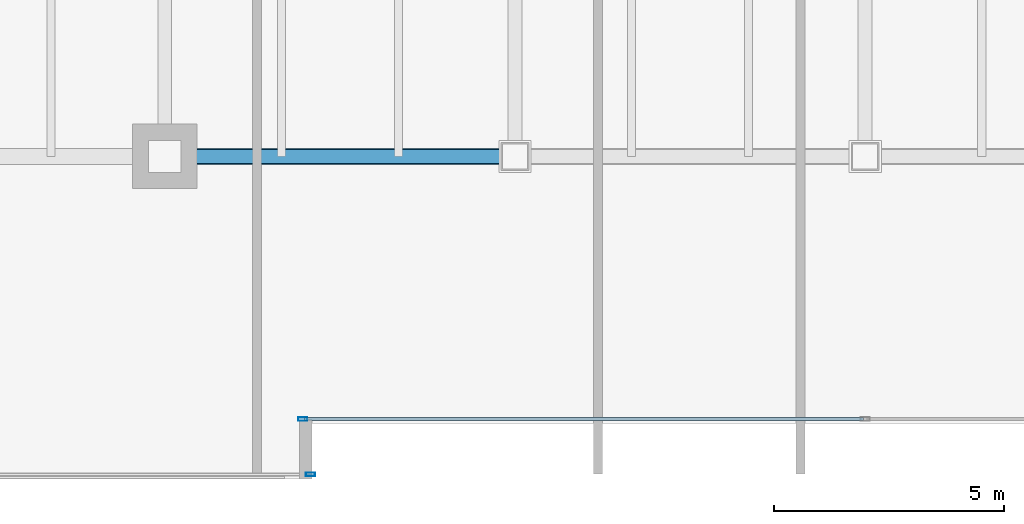
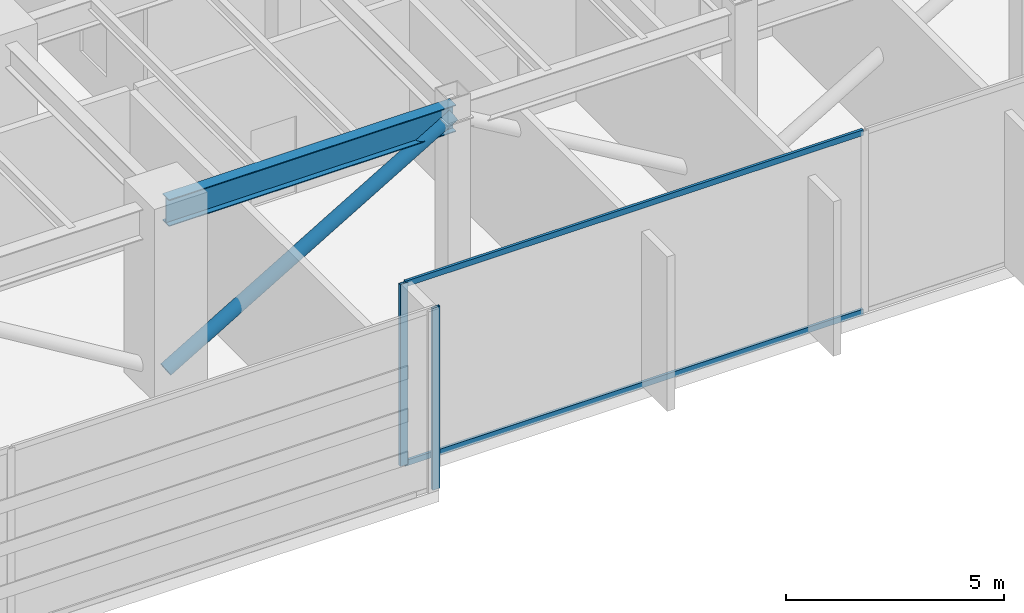
# One storey, part 4 of 38: 5 members, 1 beam, 2 elements without a shape of their own.
"""IFC4 building model written with IfcOpenShell, lengths in metres."""

import ifcopenshell
import ifcopenshell.guid

model = None  # the IFC model being written
_history = None  # IfcOwnerHistory: only IFC2X3 demands one
_inside = {}  # id of a spatial element -> (the spatial element, [elements in it])
_under = {}  # id of a project, library or spatial element -> (it, [spatial elements below it])
_declared = {}  # id of a project -> (the project, [libraries it declares])
_typed = {}  # id of a type object -> (the type object, [elements of that type])
_made_of = {}  # id of a material, layer set ... -> (it, [elements and type objects made of it])


def new_model(schema):
    """Start an empty IFC model of exactly this schema.

    Asked for "IFC4X3", IfcOpenShell would pick the latest addendum, in which some entities
    have other attributes; the version numbers below select the first issue.
    IFC2X3 requires an IfcOwnerHistory on every rooted entity: one is made here for all.
    """
    global model, _history
    if schema == "IFC4X3":
        model = ifcopenshell.file(schema_version=(4, 3, 0, 0))
    else:
        model = ifcopenshell.file(schema=schema)
    _inside.clear()
    _under.clear()
    _declared.clear()
    _typed.clear()
    _made_of.clear()
    _history = None
    if model.schema == "IFC2X3":
        org = make("IfcOrganization", Name="unknown")
        user = make(
            "IfcPersonAndOrganization",
            ThePerson=make("IfcPerson", FamilyName="unknown"),
            TheOrganization=org,
        )
        app = make(
            "IfcApplication",
            ApplicationDeveloper=org,
            Version="unknown",
            ApplicationFullName="unknown",
            ApplicationIdentifier="unknown",
        )
        _history = make(
            "IfcOwnerHistory",
            OwningUser=user,
            OwningApplication=app,
            ChangeAction="ADDED",
            CreationDate=0,
        )
    return model


def make(cls, **values):
    """One entity of the class cls with the attributes given. An attribute that is None is left unset."""
    return model.create_entity(
        cls, **{name: value for name, value in values.items() if value is not None}
    )


def rooted(cls, **values):
    """An entity with a GlobalId (a new one), such as an element, a storey or a relation."""
    return make(cls, GlobalId=ifcopenshell.guid.new(), OwnerHistory=_history, **values)


def si_unit(unit_type, name, prefix=None):
    """IfcSIUnit, for example si_unit("LENGTHUNIT", "METRE", prefix="MILLI")."""
    return make("IfcSIUnit", UnitType=unit_type, Prefix=prefix, Name=name)


def assignment(units):
    """IfcUnitAssignment: the units of a project."""
    return None if units is None else make("IfcUnitAssignment", Units=units)


def point(xyz):
    """IfcCartesianPoint."""
    return None if xyz is None else make("IfcCartesianPoint", Coordinates=xyz)


def direction(xyz):
    """IfcDirection."""
    return None if xyz is None else make("IfcDirection", DirectionRatios=xyz)


def frame(location, z_axis=None, x_axis=None):
    """IfcAxis2Placement3D, a coordinate frame: its origin and axes. An axis left out is left unset."""
    return make(
        "IfcAxis2Placement3D",
        Location=point(location),
        Axis=direction(z_axis),
        RefDirection=direction(x_axis),
    )


def frame_2d(location, x_axis=None):
    """IfcAxis2Placement2D, a coordinate frame in the plane: its origin and x axis."""
    return make(
        "IfcAxis2Placement2D", Location=point(location), RefDirection=direction(x_axis)
    )


def origin():
    """The frame at (0, 0, 0) with its axes left unset."""
    return frame((0.0, 0.0, 0.0))


def origin_2d():
    """The frame at (0, 0) in the plane with its x axis left unset."""
    return frame_2d((0.0, 0.0))


def place(relative_to, where):
    """IfcLocalPlacement: puts the frame where relative to a parent placement (None: the world)."""
    return make(
        "IfcLocalPlacement", PlacementRelTo=relative_to, RelativePlacement=where
    )


def context(
    kind, dimensions, precision=None, world=None, true_north=None, identifier=None
):
    """IfcGeometricRepresentationContext, for example the 3D "Model" context."""
    return make(
        "IfcGeometricRepresentationContext",
        ContextIdentifier=identifier,
        ContextType=kind,
        CoordinateSpaceDimension=dimensions,
        Precision=precision,
        WorldCoordinateSystem=world,
        TrueNorth=true_north,
    )


def subcontext(parent, identifier, kind, view, scale=None):
    """IfcGeometricRepresentationSubContext, for example "Body" below "Model"."""
    return make(
        "IfcGeometricRepresentationSubContext",
        ContextIdentifier=identifier,
        ContextType=kind,
        ParentContext=parent,
        TargetScale=scale,
        TargetView=view,
    )


def project(units=None, contexts=None):
    """IfcProject with its units and contexts."""
    return rooted(
        "IfcProject",
        Name="project",
        RepresentationContexts=contexts,
        UnitsInContext=assignment(units),
    )


def spatial(cls, under=None, at=None, **own):
    """A site, building, storey or space (cls), placed at a placement, below another one or the project."""
    s = rooted(cls, ObjectPlacement=at, **own)
    if under is not None:
        _under.setdefault(under.id(), (under, []))[1].append(s)
    return s


def profile(cls, at=None, kind="AREA", **sizes):
    """A parametric profile (cls). Its sizes go by their IFC names, for example OverallWidth=200.0."""
    return make(cls, ProfileType=kind, Position=at, **sizes)


def hollow_rectangle(**sizes):
    """IfcRectangleHollowProfileDef."""
    return profile("IfcRectangleHollowProfileDef", **sizes)


def hollow_circle(**sizes):
    """IfcCircleHollowProfileDef."""
    return profile("IfcCircleHollowProfileDef", **sizes)


def i_section(**sizes):
    """IfcIShapeProfileDef."""
    return profile("IfcIShapeProfileDef", **sizes)


def extrude(swept, where, along, depth):
    """IfcExtrudedAreaSolid: the profile swept, set in the frame where, extruded along a direction by depth."""
    return make(
        "IfcExtrudedAreaSolid",
        SweptArea=swept,
        Position=where,
        ExtrudedDirection=direction(along),
        Depth=depth,
    )


def shape(context_of_items, identifier, shape_type, items):
    """IfcShapeRepresentation: the items that make up one representation, for example the "Body"."""
    return make(
        "IfcShapeRepresentation",
        ContextOfItems=context_of_items,
        RepresentationIdentifier=identifier,
        RepresentationType=shape_type,
        Items=items,
    )


def source(mapping_origin, context_of_items, identifier, shape_type, items):
    """IfcRepresentationMap: a shape defined once, which mapped items show again and again."""
    return make(
        "IfcRepresentationMap",
        MappingOrigin=mapping_origin,
        MappedRepresentation=shape(context_of_items, identifier, shape_type, items),
    )


def transform(
    local_origin,
    x_axis=None,
    y_axis=None,
    z_axis=None,
    scale=None,
    scale2=None,
    scale3=None,
    uniform=True,
):
    """IfcCartesianTransformationOperator3D, or its non-uniform kind. x_axis, y_axis, z_axis: its Axis1, 2, 3."""
    if uniform:
        return make(
            "IfcCartesianTransformationOperator3D",
            Axis1=direction(x_axis),
            Axis2=direction(y_axis),
            LocalOrigin=point(local_origin),
            Scale=scale,
            Axis3=direction(z_axis),
        )
    return make(
        "IfcCartesianTransformationOperator3DnonUniform",
        Axis1=direction(x_axis),
        Axis2=direction(y_axis),
        LocalOrigin=point(local_origin),
        Scale=scale,
        Axis3=direction(z_axis),
        Scale2=scale2,
        Scale3=scale3,
    )


def mapped(mapping_source, mapping_target):
    """IfcMappedItem: shows the shape of a source again, moved by a transform."""
    return make(
        "IfcMappedItem", MappingSource=mapping_source, MappingTarget=mapping_target
    )


def material(Name=None, Category=None):
    """IfcMaterial."""
    return make("IfcMaterial", Name=Name, Category=Category)


def layer(
    of_material, thickness, ventilated=None, Name=None, Category=None, Priority=None
):
    """IfcMaterialLayer: one layer of a wall or slab, of a material (None: an air gap)."""
    return make(
        "IfcMaterialLayer",
        Material=of_material,
        LayerThickness=thickness,
        IsVentilated=ventilated,
        Name=Name,
        Category=Category,
        Priority=Priority,
    )


def layer_set(layers, Name=None):
    """IfcMaterialLayerSet."""
    return make("IfcMaterialLayerSet", MaterialLayers=layers, LayerSetName=Name)


def material_profile(
    of_material, cross_section, Name=None, Category=None, Priority=None
):
    """IfcMaterialProfile: a cross section and its material."""
    return make(
        "IfcMaterialProfile",
        Name=Name,
        Material=of_material,
        Profile=cross_section,
        Priority=Priority,
        Category=Category,
    )


def profile_set(profiles, Name=None, composite=None):
    """IfcMaterialProfileSet."""
    return make(
        "IfcMaterialProfileSet",
        Name=Name,
        MaterialProfiles=profiles,
        CompositeProfile=composite,
    )


def made_of(thing, what):
    """Note that an element or type object is made of a material, layer set ...; save() writes the relation."""
    if what is not None:
        _made_of.setdefault(what.id(), (what, []))[1].append(thing)
    return thing


def type_object(cls, material=None, **own):
    """A type object (cls), such as IfcWallType, which elements share."""
    return made_of(rooted(cls, **own), material)


def type_shapes(of_type, sources):
    """Give a type object the sources (RepresentationMaps) that its elements show as mapped items."""
    of_type.RepresentationMaps = sources


def element(
    cls,
    number,
    at=None,
    inside=None,
    cuts=None,
    type_object=None,
    material=None,
    context=None,
    identifier="Body",
    shape_type=None,
    held_by="IfcProductDefinitionShape",
    body=None,
    shapes=None,
    **own,
):
    """One element of the class cls, such as IfcWall. Its Tag is "e" and its number.

    at: its placement. inside: the storey or other place that contains it. cuts: it is an
    opening in that element (IfcRelVoidsElement). A single representation is given by context,
    identifier, shape_type and body (its items); several are given by shapes. held_by: the class
    of the entity that holds the representations. save() writes the other relations.
    """
    e = rooted(cls, Tag="e%d" % number, ObjectPlacement=at, **own)
    if body is not None:
        shapes = [shape(context, identifier, shape_type, body)]
    if shapes is not None:
        e.Representation = make(held_by, Representations=shapes)
    if inside is not None:
        _inside.setdefault(inside.id(), (inside, []))[1].append(e)
    if cuts is not None:
        rooted(
            "IfcRelVoidsElement", RelatingBuildingElement=cuts, RelatedOpeningElement=e
        )
    if type_object is not None:
        _typed.setdefault(type_object.id(), (type_object, []))[1].append(e)
    return made_of(e, material)


def aggregate(whole, parts):
    """IfcRelAggregates: a whole, such as a stair, and the parts it consists of."""
    return rooted("IfcRelAggregates", RelatingObject=whole, RelatedObjects=parts)


def save(model, path):
    """Write the relations noted so far, then the file.

    IfcRelAggregates (storeys below a building ...), IfcRelContainedInSpatialStructure (elements
    in a storey), IfcRelDefinesByType, IfcRelAssociatesMaterial and IfcRelDeclares: one each for
    every whole, place, type object, material and project.
    """
    for whole, parts in _under.values():
        aggregate(whole, parts)
    for where, things in _inside.values():
        rooted(
            "IfcRelContainedInSpatialStructure",
            RelatedElements=things,
            RelatingStructure=where,
        )
    for kind, things in _typed.values():
        rooted("IfcRelDefinesByType", RelatedObjects=things, RelatingType=kind)
    for what, things in _made_of.values():
        rooted("IfcRelAssociatesMaterial", RelatedObjects=things, RelatingMaterial=what)
    for by, libraries in _declared.values():
        rooted("IfcRelDeclares", RelatingContext=by, RelatedDefinitions=libraries)
    model.write(path)


model = new_model("IFC4")

# Units and contexts
model_context = context("Model", 3, precision=1e-05, world=origin(), true_north=direction((0.0, 1.0)))
body_context = subcontext(model_context, "Body", "Model", "MODEL_VIEW")
ifc_project = project(units=[si_unit("LENGTHUNIT", "METRE"), si_unit("AREAUNIT", "SQUARE_METRE"), si_unit("VOLUMEUNIT", "CUBIC_METRE"), si_unit("PLANEANGLEUNIT", "RADIAN"), si_unit("MASSUNIT", "GRAM", prefix="KILO")], contexts=[model_context])

# Site, building, storey
site_placement = place(None, origin())
site = spatial("IfcSite", under=ifc_project, at=site_placement, CompositionType="ELEMENT")
building_placement = place(site_placement, origin())
building = spatial("IfcBuilding", under=site, at=building_placement, Name="Haelvirn Gate Laboratories", CompositionType="ELEMENT")
storey_placement = place(building_placement, frame((0.0, 0.0, 94.89990234375)))
storey = spatial("IfcBuildingStorey", under=building, at=storey_placement, Name="L23", CompositionType="ELEMENT", Elevation=94.89990234375)

# Beam
ifc_material_1 = material(Name="Steel SM355", Category="steel")
ifc_material_profile_1 = material_profile(ifc_material_1, i_section(OverallWidth=0.300048828125, OverallDepth=0.75, WebThickness=0.013916015625, FlangeThickness=0.02392578125, at=origin_2d()), Name="H-750x300x14x24")
ifc_profile_set_1 = profile_set([ifc_material_profile_1], Name="Steel SM355")
beam_type = type_object("IfcBeamType", Name="BM-G-750", PredefinedType="BEAM", material=ifc_profile_set_1)
shared_shape_1 = source(origin(), body_context, "Body", "SweptSolid", [
    extrude(i_section(OverallWidth=0.300048828125, OverallDepth=0.75, WebThickness=0.013916015625, FlangeThickness=0.02392578125, at=origin_2d()), origin(), (0.0, 0.0, 1.0), 7.60009765625),
])
type_shapes(beam_type, [shared_shape_1])
beam_placement = place(storey_placement, frame((22.199951171875, 7.0, 4.715087890625), z_axis=(1.0, 0.0, 0.0), x_axis=(0.0, 1.0, 0.0)))
element("IfcBeam", 1, at=beam_placement, inside=storey, type_object=beam_type, Name="L23 Primary Girder Y7.0 (22.2-29.8)", PredefinedType="BEAM", context=body_context, shape_type="MappedRepresentation", body=[
    mapped(shared_shape_1, transform((0.0, 0.0, 0.0), scale=1.0)),
])

# Member
ifc_material_profile_2 = material_profile(ifc_material_1, hollow_circle(Radius=0.177734375, WallThickness=0.013916015625, at=origin_2d()), Name="CHS-355x14")
ifc_profile_set_2 = profile_set([ifc_material_profile_2], Name="Steel SM355")
member_type_1 = type_object("IfcMemberType", Name="MEM-BELT-1", PredefinedType="STRUT", material=ifc_profile_set_2)
shared_shape_2 = source(origin(), body_context, "Body", "SweptSolid", [
    extrude(hollow_circle(Radius=0.177734375, WallThickness=0.013916015625, at=origin_2d()), origin(), (0.0, 0.0, 1.0), 8.827392578125),
])
type_shapes(member_type_1, [shared_shape_2])
member_1_placement = place(storey_placement, frame((22.199951171875, 7.0, 0.25), z_axis=(0.860974977709, 0.0, 0.508647311759), x_axis=(0.0, 1.0, 0.0)))
element("IfcMember", 2, at=member_1_placement, inside=storey, type_object=member_type_1, Name="L23 Perimeter Belt Truss S3", PredefinedType="STRUT", context=body_context, shape_type="MappedRepresentation", body=[
    mapped(shared_shape_2, transform((0.0, 0.0, 0.0), scale=1.0)),
])

# Curtain wall, members
ifc_material_2 = material(Name="Anodised bronze unitised aluminium & triple low-E glass", Category="aluminium")
ifc_layer = layer(ifc_material_2, 0.18408203125, Name="CW-SYS-2")
ifc_layer_set = layer_set([ifc_layer], Name="Anodised bronze unitised aluminium & triple low-E glass")
curtain_wall_type = type_object("IfcCurtainWallType", Name="CW-SYS-2", PredefinedType="NOTDEFINED", material=ifc_layer_set)
curtain_wall_1_placement = place(storey_placement, origin())
curtain_wall_1 = element("IfcCurtainWall", 3, at=curtain_wall_1_placement, inside=storey, type_object=curtain_wall_type, Name="L23 Unitised Curtain Wall CW-L23-P0-E02-1", PredefinedType="NOTDEFINED")
ifc_material_3 = material(Name="Extruded aluminium 6063-T6 (anodised bronze)", Category="aluminium")
ifc_material_profile_3 = material_profile(ifc_material_3, hollow_rectangle(XDim=0.070068359375, YDim=0.159912109375, WallThickness=0.0048828125, at=origin_2d()), Name="CWT-160x70x5")
ifc_profile_set_3 = profile_set([ifc_material_profile_3], Name="Extruded aluminium 6063-T6 (anodised bronze)")
member_type_2 = type_object("IfcMemberType", Name="CWT-T160", PredefinedType="USERDEFINED", material=ifc_profile_set_3)
shared_shape_3 = source(origin(), body_context, "Body", "SweptSolid", [
    extrude(hollow_rectangle(XDim=0.070068359375, YDim=0.159912109375, WallThickness=0.0048828125, at=origin_2d()), origin(), (0.0, 0.0, 1.0), 12.12744140625),
])
type_shapes(member_type_2, [shared_shape_3])
member_2_placement = place(storey_placement, frame((25.235107421875, 1.300048828125, 0.03515625), z_axis=(1.0, 0.0, 0.0), x_axis=(0.0, 1.0, 0.0)))
member_2 = element("IfcMember", 4, at=member_2_placement, type_object=member_type_2, Name="CW2 transom 1.1", ObjectType="TRANSOM", PredefinedType="USERDEFINED", context=body_context, shape_type="MappedRepresentation", body=[
    mapped(shared_shape_3, transform((0.0, 0.0, 0.0), scale=1.0)),
])
member_3_placement = place(storey_placement, frame((25.235107421875, 1.300048828125, 5.05517578125), z_axis=(1.0, 0.0, 0.0), x_axis=(0.0, 1.0, 0.0)))
member_3 = element("IfcMember", 5, at=member_3_placement, type_object=member_type_2, Name="CW2 transom 1.2", ObjectType="TRANSOM", PredefinedType="USERDEFINED", context=body_context, shape_type="MappedRepresentation", body=[
    mapped(shared_shape_3, transform((0.0, 0.0, 0.0), scale=1.0)),
])

# Curtain wall, member
curtain_wall_2_placement = place(storey_placement, origin())
curtain_wall_2 = element("IfcCurtainWall", 6, at=curtain_wall_2_placement, inside=storey, type_object=curtain_wall_type, Name="L23 Unitised Curtain Wall CW-L23-P0-E00-1", PredefinedType="NOTDEFINED")
ifc_material_profile_4 = material_profile(ifc_material_3, hollow_rectangle(XDim=0.074951171875, YDim=0.199951171875, WallThickness=0.0048828125, at=origin_2d()), Name="CWM-200x75x5")
ifc_profile_set_4 = profile_set([ifc_material_profile_4], Name="Extruded aluminium 6063-T6 (anodised bronze)")
member_type_3 = type_object("IfcMemberType", Name="CWM-T200", PredefinedType="MULLION", material=ifc_profile_set_4)
shared_shape_4 = source(origin(), body_context, "Body", "SweptSolid", [
    extrude(hollow_rectangle(XDim=0.074951171875, YDim=0.199951171875, WallThickness=0.0048828125, at=origin_2d()), origin(), (0.0, 0.0, 1.0), 5.090087890625),
])
type_shapes(member_type_3, [shared_shape_4])
member_4_placement = place(storey_placement, frame((25.362548828125, 0.10009765625, 0.0), z_axis=(0.0, 0.0, 1.0), x_axis=(0.0, 1.0, 0.0)))
member_4 = element("IfcMember", 7, at=member_4_placement, type_object=member_type_3, Name="CW2 mullion 3", PredefinedType="MULLION", context=body_context, shape_type="MappedRepresentation", body=[
    mapped(shared_shape_4, transform((0.0, 0.0, 0.0), scale=1.0)),
])
aggregate(curtain_wall_2, [member_4])

# Member
member_5_placement = place(storey_placement, frame((25.197509765625, 1.300048828125, 0.0), z_axis=(0.0, 0.0, 1.0), x_axis=(0.0, 1.0, 0.0)))
member_5 = element("IfcMember", 8, at=member_5_placement, type_object=member_type_3, Name="CW2 mullion 1", PredefinedType="MULLION", context=body_context, shape_type="MappedRepresentation", body=[
    mapped(shared_shape_4, transform((0.0, 0.0, 0.0), scale=1.0)),
])

aggregate(curtain_wall_1, [member_5, member_2, member_3])

save(model, "model.ifc")
